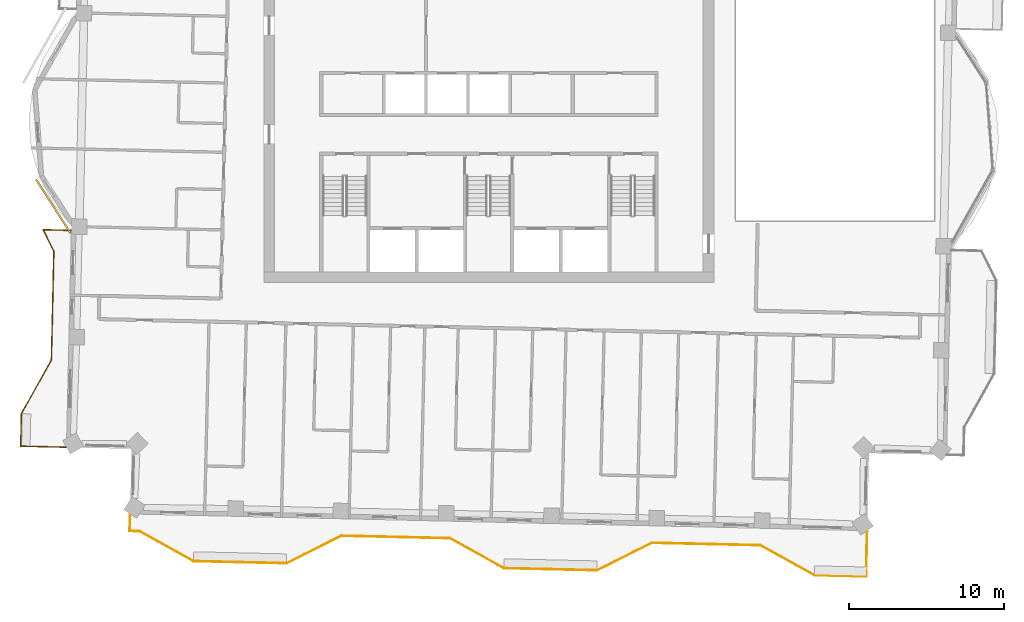
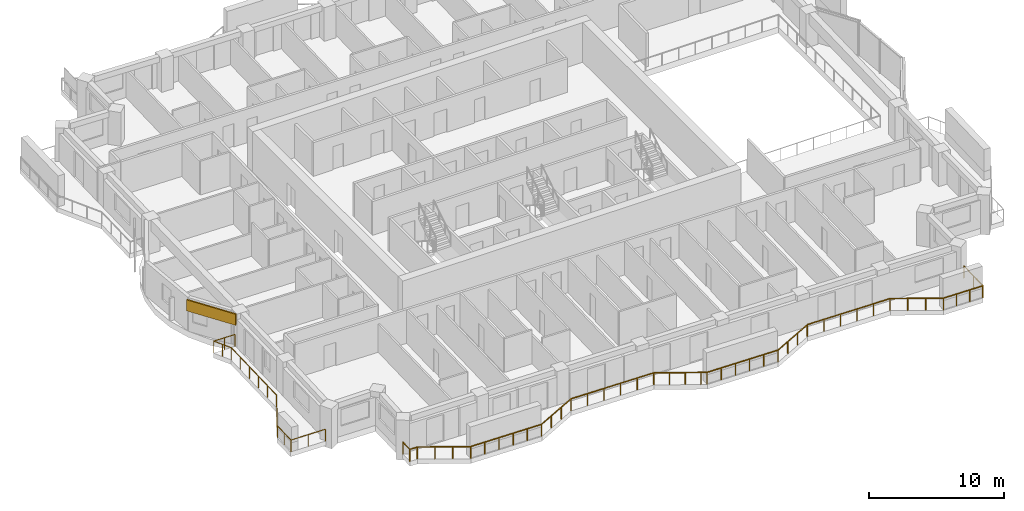
# One storey, part 14 of 17: 2 railings, 1 covering.
"""IFC4 building model written with IfcOpenShell, lengths in metres."""

from ifc_helpers import new_model, si_unit, direction, frame, frame_2d, origin, origin_2d, place, context, subcontext, project, spatial, rectangle, extrude, material, layer, layer_set, type_object, element, save


model = new_model("IFC4")

# Units and contexts
model_context = context("Model", 3, precision=1e-05, world=origin(), true_north=direction((0.0, 1.0)))
body_context = subcontext(model_context, "Body", "Model", "MODEL_VIEW")
ifc_project = project(units=[si_unit("LENGTHUNIT", "METRE"), si_unit("AREAUNIT", "SQUARE_METRE"), si_unit("VOLUMEUNIT", "CUBIC_METRE"), si_unit("PLANEANGLEUNIT", "RADIAN"), si_unit("MASSUNIT", "GRAM", prefix="KILO")], contexts=[model_context])

# Site, building, storey
site_placement = place(None, origin())
site = spatial("IfcSite", under=ifc_project, at=site_placement, CompositionType="ELEMENT")
building_placement = place(site_placement, origin())
building = spatial("IfcBuilding", under=site, at=building_placement, Name="Mangrove Gate Tower", CompositionType="ELEMENT")
storey_placement = place(building_placement, frame((0.0, 0.0, 271.699951171875)))
storey = spatial("IfcBuildingStorey", under=building, at=storey_placement, Name="L69", CompositionType="ELEMENT", Elevation=271.699951171875)

# Railings
ifc_material_1 = material(Name="Stainless steel grade 316 with laminated glass infill", Category="steel")
railing_type = type_object("IfcRailingType", Name="Balcony guard 1100", PredefinedType="GUARDRAIL", material=ifc_material_1)
railing_1_placement = place(storey_placement, frame((-26.929931640625, -8.1298828125, 0.0)))
element("IfcRailing", 1, at=railing_1_placement, inside=storey, type_object=railing_type, Name="GUARD L69 W2", PredefinedType="GUARDRAIL", context=body_context, shape_type="SweptSolid", body=[
    extrude(rectangle(XDim=0.048095703125, YDim=0.048095703125, at=origin_2d()), frame((0.0, 0.0, 1.076171875), z_axis=(-0.99973957308, 0.022820736564, 0.0), x_axis=(-0.022820736564, -0.99973957308, 0.0)), (0.0, 0.0, 1.0), 1.78662109375),
    extrude(rectangle(XDim=0.048095703125, YDim=0.048095703125, at=origin_2d()), frame((-1.7861328125, 0.040771484375, 1.076171875), z_axis=(0.447025166118, -0.894521380883, 0.0), x_axis=(0.894521380883, 0.447025166118, 0.0)), (0.0, 0.0, 1.0), 1.554931640625),
    extrude(rectangle(XDim=0.048095703125, YDim=0.048095703125, at=origin_2d()), frame((-1.091064453125, -1.35009765625, 1.076171875), z_axis=(-0.022705559911, -0.999742195543, 0.0), x_axis=(0.999742195543, -0.022705559911, 0.0)), (0.0, 0.0, 1.0), 6.999755859375),
    extrude(rectangle(XDim=0.048095703125, YDim=0.048095703125, at=origin_2d()), frame((-1.25, -8.34814453125, 1.076171875), z_axis=(-0.48726008209, -0.87325689943, 0.0), x_axis=(0.87325689943, -0.48726008209, 0.0)), (0.0, 0.0, 1.0), 3.958740234375),
    extrude(rectangle(XDim=0.048095703125, YDim=0.048095703125, at=origin_2d()), frame((-3.178955078125, -11.80517578125, 1.076171875), z_axis=(-0.022898307927, -0.999737799372, 0.0), x_axis=(0.999737799372, -0.022898307927, 0.0)), (0.0, 0.0, 1.0), 2.100341796875),
    extrude(rectangle(XDim=0.048095703125, YDim=0.048095703125, at=origin_2d()), frame((-3.22705078125, -13.905029296875, 1.076171875), z_axis=(0.999741618984, -0.02273093202, 0.0), x_axis=(0.02273093202, 0.999741618984, 0.0)), (0.0, 0.0, 1.0), 2.91064453125),
    extrude(rectangle(XDim=0.0419921875, YDim=0.0419921875, at=origin_2d()), origin(), (0.0, 0.0, 1.0), 1.052001953125),
    extrude(rectangle(XDim=0.0419921875, YDim=0.0419921875, at=origin_2d()), frame((-0.89306640625, 0.0205078125, 0.0)), (0.0, 0.0, 1.0), 1.052001953125),
    extrude(rectangle(XDim=0.0419921875, YDim=0.0419921875, at=origin_2d()), frame((-1.7861328125, 0.040771484375, 0.0)), (0.0, 0.0, 1.0), 1.052001953125),
    extrude(rectangle(XDim=0.0419921875, YDim=0.0419921875, at=origin_2d()), frame((-1.4384765625, -0.65478515625, 0.0)), (0.0, 0.0, 1.0), 1.052001953125),
    extrude(rectangle(XDim=0.0419921875, YDim=0.0419921875, at=origin_2d()), frame((-1.091064453125, -1.35009765625, 0.0)), (0.0, 0.0, 1.0), 1.052001953125),
    extrude(rectangle(XDim=0.0419921875, YDim=0.0419921875, at=origin_2d()), frame((-1.122802734375, -2.749755859375, 0.0)), (0.0, 0.0, 1.0), 1.052001953125),
    extrude(rectangle(XDim=0.0419921875, YDim=0.0419921875, at=origin_2d()), frame((-1.154541015625, -4.1494140625, 0.0)), (0.0, 0.0, 1.0), 1.052001953125),
    extrude(rectangle(XDim=0.0419921875, YDim=0.0419921875, at=origin_2d()), frame((-1.1865234375, -5.548828125, 0.0)), (0.0, 0.0, 1.0), 1.052001953125),
    extrude(rectangle(XDim=0.0419921875, YDim=0.0419921875, at=origin_2d()), frame((-1.21826171875, -6.948486328125, 0.0)), (0.0, 0.0, 1.0), 1.052001953125),
    extrude(rectangle(XDim=0.0419921875, YDim=0.0419921875, at=origin_2d()), frame((-1.25, -8.34814453125, 0.0)), (0.0, 0.0, 1.0), 1.052001953125),
    extrude(rectangle(XDim=0.0419921875, YDim=0.0419921875, at=origin_2d()), frame((-1.89306640625, -9.50048828125, 0.0)), (0.0, 0.0, 1.0), 1.052001953125),
    extrude(rectangle(XDim=0.0419921875, YDim=0.0419921875, at=origin_2d()), frame((-2.535888671875, -10.65283203125, 0.0)), (0.0, 0.0, 1.0), 1.052001953125),
    extrude(rectangle(XDim=0.0419921875, YDim=0.0419921875, at=origin_2d()), frame((-3.178955078125, -11.80517578125, 0.0)), (0.0, 0.0, 1.0), 1.052001953125),
    extrude(rectangle(XDim=0.0419921875, YDim=0.0419921875, at=origin_2d()), frame((-3.203125, -12.85498046875, 0.0)), (0.0, 0.0, 1.0), 1.052001953125),
    extrude(rectangle(XDim=0.0419921875, YDim=0.0419921875, at=origin_2d()), frame((-3.22705078125, -13.905029296875, 0.0)), (0.0, 0.0, 1.0), 1.052001953125),
    extrude(rectangle(XDim=0.0419921875, YDim=0.0419921875, at=origin_2d()), frame((-1.77197265625, -13.93798828125, 0.0)), (0.0, 0.0, 1.0), 1.052001953125),
    extrude(rectangle(XDim=0.0419921875, YDim=0.0419921875, at=origin_2d()), frame((-0.317138671875, -13.97119140625, 0.0)), (0.0, 0.0, 1.0), 1.052001953125),
])
railing_2_placement = place(storey_placement, frame((-23.10498046875, -26.43603515625, 0.0)))
element("IfcRailing", 2, at=railing_2_placement, inside=storey, type_object=railing_type, Name="GUARD L69 S1", PredefinedType="GUARDRAIL", context=body_context, shape_type="SweptSolid", body=[
    extrude(rectangle(XDim=0.048095703125, YDim=0.048095703125, at=origin_2d()), frame((0.0, 0.0, 1.076171875), z_axis=(-0.022564497502, -0.999745389313, 0.0), x_axis=(0.999745389313, -0.022564497502, 0.0)), (0.0, 0.0, 1.0), 1.060302734375),
    extrude(rectangle(XDim=0.048095703125, YDim=0.048095703125, at=origin_2d()), frame((-0.02392578125, -1.06005859375, 1.076171875), z_axis=(0.999760696888, -0.02187576189, 0.0), x_axis=(0.02187576189, 0.999760696888, 0.0)), (0.0, 0.0, 1.0), 0.63623046875),
    extrude(rectangle(XDim=0.048095703125, YDim=0.048095703125, at=origin_2d()), frame((0.612060546875, -1.073974609375, 1.076171875), z_axis=(0.87325689943, -0.48726008209, 0.0), x_axis=(0.48726008209, 0.87325689943, 0.0)), (0.0, 0.0, 1.0), 3.958740234375),
    extrude(rectangle(XDim=0.048095703125, YDim=0.048095703125, at=origin_2d()), frame((4.069091796875, -3.0029296875, 1.076171875), z_axis=(0.999743157205, -0.022663177671, 0.0), x_axis=(0.022663177671, 0.999743157205, 0.0)), (0.0, 0.0, 1.0), 6.000244140625),
    extrude(rectangle(XDim=0.048095703125, YDim=0.048095703125, at=origin_2d()), frame((10.06787109375, -3.138916015625, 1.076171875), z_axis=(0.894476522376, 0.447114919141, 0.0), x_axis=(-0.447114919141, 0.894476522376, 0.0)), (0.0, 0.0, 1.0), 3.958740234375),
    extrude(rectangle(XDim=0.048095703125, YDim=0.048095703125, at=origin_2d()), frame((13.60888671875, -1.368896484375, 1.076171875), z_axis=(0.999741403216, -0.022740419861, 0.0), x_axis=(0.022740419861, 0.999741403216, 0.0)), (0.0, 0.0, 1.0), 6.999755859375),
    extrude(rectangle(XDim=0.048095703125, YDim=0.048095703125, at=origin_2d()), frame((20.60693359375, -1.528076171875, 1.076171875), z_axis=(0.87332171879, -0.487143896082, 0.0), x_axis=(0.487143896082, 0.87332171879, 0.0)), (0.0, 0.0, 1.0), 3.506103515625),
    extrude(rectangle(XDim=0.048095703125, YDim=0.048095703125, at=origin_2d()), frame((23.6689453125, -3.236083984375, 1.076171875), z_axis=(0.872754252062, -0.488159825782, 0.0), x_axis=(0.488159825782, 0.872754252062, 0.0)), (0.0, 0.0, 1.0), 0.45263671875),
    extrude(rectangle(XDim=0.048095703125, YDim=0.048095703125, at=origin_2d()), frame((24.06396484375, -3.45703125, 1.076171875), z_axis=(0.999743178102, -0.022662255828, 0.0), x_axis=(0.022662255828, 0.999743178102, 0.0)), (0.0, 0.0, 1.0), 6.00048828125),
    extrude(rectangle(XDim=0.048095703125, YDim=0.048095703125, at=origin_2d()), frame((30.06298828125, -3.593017578125, 1.076171875), z_axis=(0.894476522376, 0.447114919141, 0.0), x_axis=(-0.447114919141, 0.894476522376, 0.0)), (0.0, 0.0, 1.0), 3.958740234375),
    extrude(rectangle(XDim=0.048095703125, YDim=0.048095703125, at=origin_2d()), frame((33.60400390625, -1.822998046875, 1.076171875), z_axis=(0.999742195543, -0.022705559911, 0.0), x_axis=(0.022705559911, 0.999742195543, 0.0)), (0.0, 0.0, 1.0), 6.999755859375),
    extrude(rectangle(XDim=0.048095703125, YDim=0.048095703125, at=origin_2d()), frame((40.60205078125, -1.98193359375, 1.076171875), z_axis=(0.873361856081, -0.487071933437, 0.0), x_axis=(0.487071933437, 0.873361856081, 0.0)), (0.0, 0.0, 1.0), 3.958251953125),
    extrude(rectangle(XDim=0.048095703125, YDim=0.048095703125, at=origin_2d()), frame((44.05908203125, -3.909912109375, 1.076171875), z_axis=(0.99973925985, -0.022834454544, 0.0), x_axis=(0.022834454544, 0.99973925985, 0.0)), (0.0, 0.0, 1.0), 3.3359375),
    extrude(rectangle(XDim=0.048095703125, YDim=0.048095703125, at=origin_2d()), frame((47.39404296875, -3.986083984375, 1.076171875), z_axis=(0.022652795902, 0.999743392495, 0.0), x_axis=(-0.999743392495, 0.022652795902, 0.0)), (0.0, 0.0, 1.0), 2.909912109375),
    extrude(rectangle(XDim=0.0419921875, YDim=0.0419921875, at=origin_2d()), origin(), (0.0, 0.0, 1.0), 1.052001953125),
    extrude(rectangle(XDim=0.0419921875, YDim=0.0419921875, at=origin_2d()), frame((-0.02392578125, -1.06005859375, 0.0)), (0.0, 0.0, 1.0), 1.052001953125),
    extrude(rectangle(XDim=0.0419921875, YDim=0.0419921875, at=origin_2d()), frame((0.612060546875, -1.073974609375, 0.0)), (0.0, 0.0, 1.0), 1.052001953125),
    extrude(rectangle(XDim=0.0419921875, YDim=0.0419921875, at=origin_2d()), frame((1.764404296875, -1.717041015625, 0.0)), (0.0, 0.0, 1.0), 1.052001953125),
    extrude(rectangle(XDim=0.0419921875, YDim=0.0419921875, at=origin_2d()), frame((2.916748046875, -2.35986328125, 0.0)), (0.0, 0.0, 1.0), 1.052001953125),
    extrude(rectangle(XDim=0.0419921875, YDim=0.0419921875, at=origin_2d()), frame((4.069091796875, -3.0029296875, 0.0)), (0.0, 0.0, 1.0), 1.052001953125),
    extrude(rectangle(XDim=0.0419921875, YDim=0.0419921875, at=origin_2d()), frame((5.268798828125, -3.030029296875, 0.0)), (0.0, 0.0, 1.0), 1.052001953125),
    extrude(rectangle(XDim=0.0419921875, YDim=0.0419921875, at=origin_2d()), frame((6.468505859375, -3.057373046875, 0.0)), (0.0, 0.0, 1.0), 1.052001953125),
    extrude(rectangle(XDim=0.0419921875, YDim=0.0419921875, at=origin_2d()), frame((7.66845703125, -3.08447265625, 0.0)), (0.0, 0.0, 1.0), 1.052001953125),
    extrude(rectangle(XDim=0.0419921875, YDim=0.0419921875, at=origin_2d()), frame((8.8681640625, -3.11181640625, 0.0)), (0.0, 0.0, 1.0), 1.052001953125),
    extrude(rectangle(XDim=0.0419921875, YDim=0.0419921875, at=origin_2d()), frame((10.06787109375, -3.138916015625, 0.0)), (0.0, 0.0, 1.0), 1.052001953125),
    extrude(rectangle(XDim=0.0419921875, YDim=0.0419921875, at=origin_2d()), frame((11.248291015625, -2.548828125, 0.0)), (0.0, 0.0, 1.0), 1.052001953125),
    extrude(rectangle(XDim=0.0419921875, YDim=0.0419921875, at=origin_2d()), frame((12.428466796875, -1.958984375, 0.0)), (0.0, 0.0, 1.0), 1.052001953125),
    extrude(rectangle(XDim=0.0419921875, YDim=0.0419921875, at=origin_2d()), frame((13.60888671875, -1.368896484375, 0.0)), (0.0, 0.0, 1.0), 1.052001953125),
    extrude(rectangle(XDim=0.0419921875, YDim=0.0419921875, at=origin_2d()), frame((15.008544921875, -1.400634765625, 0.0)), (0.0, 0.0, 1.0), 1.052001953125),
    extrude(rectangle(XDim=0.0419921875, YDim=0.0419921875, at=origin_2d()), frame((16.408203125, -1.4326171875, 0.0)), (0.0, 0.0, 1.0), 1.052001953125),
    extrude(rectangle(XDim=0.0419921875, YDim=0.0419921875, at=origin_2d()), frame((17.8076171875, -1.46435546875, 0.0)), (0.0, 0.0, 1.0), 1.052001953125),
    extrude(rectangle(XDim=0.0419921875, YDim=0.0419921875, at=origin_2d()), frame((19.207275390625, -1.496337890625, 0.0)), (0.0, 0.0, 1.0), 1.052001953125),
    extrude(rectangle(XDim=0.0419921875, YDim=0.0419921875, at=origin_2d()), frame((20.60693359375, -1.528076171875, 0.0)), (0.0, 0.0, 1.0), 1.052001953125),
    extrude(rectangle(XDim=0.0419921875, YDim=0.0419921875, at=origin_2d()), frame((21.627685546875, -2.097412109375, 0.0)), (0.0, 0.0, 1.0), 1.052001953125),
    extrude(rectangle(XDim=0.0419921875, YDim=0.0419921875, at=origin_2d()), frame((22.648193359375, -2.666748046875, 0.0)), (0.0, 0.0, 1.0), 1.052001953125),
    extrude(rectangle(XDim=0.0419921875, YDim=0.0419921875, at=origin_2d()), frame((23.6689453125, -3.236083984375, 0.0)), (0.0, 0.0, 1.0), 1.052001953125),
    extrude(rectangle(XDim=0.0419921875, YDim=0.0419921875, at=origin_2d()), frame((24.06396484375, -3.45703125, 0.0)), (0.0, 0.0, 1.0), 1.052001953125),
    extrude(rectangle(XDim=0.0419921875, YDim=0.0419921875, at=origin_2d()), frame((25.263671875, -3.484130859375, 0.0)), (0.0, 0.0, 1.0), 1.052001953125),
    extrude(rectangle(XDim=0.0419921875, YDim=0.0419921875, at=origin_2d()), frame((26.463623046875, -3.511474609375, 0.0)), (0.0, 0.0, 1.0), 1.052001953125),
    extrude(rectangle(XDim=0.0419921875, YDim=0.0419921875, at=origin_2d()), frame((27.663330078125, -3.53857421875, 0.0)), (0.0, 0.0, 1.0), 1.052001953125),
    extrude(rectangle(XDim=0.0419921875, YDim=0.0419921875, at=origin_2d()), frame((28.86328125, -3.56591796875, 0.0)), (0.0, 0.0, 1.0), 1.052001953125),
    extrude(rectangle(XDim=0.0419921875, YDim=0.0419921875, at=origin_2d()), frame((30.06298828125, -3.593017578125, 0.0)), (0.0, 0.0, 1.0), 1.052001953125),
    extrude(rectangle(XDim=0.0419921875, YDim=0.0419921875, at=origin_2d()), frame((31.243408203125, -3.0029296875, 0.0)), (0.0, 0.0, 1.0), 1.052001953125),
    extrude(rectangle(XDim=0.0419921875, YDim=0.0419921875, at=origin_2d()), frame((32.423583984375, -2.4130859375, 0.0)), (0.0, 0.0, 1.0), 1.052001953125),
    extrude(rectangle(XDim=0.0419921875, YDim=0.0419921875, at=origin_2d()), frame((33.60400390625, -1.822998046875, 0.0)), (0.0, 0.0, 1.0), 1.052001953125),
    extrude(rectangle(XDim=0.0419921875, YDim=0.0419921875, at=origin_2d()), frame((35.003662109375, -1.854736328125, 0.0)), (0.0, 0.0, 1.0), 1.052001953125),
    extrude(rectangle(XDim=0.0419921875, YDim=0.0419921875, at=origin_2d()), frame((36.4033203125, -1.886474609375, 0.0)), (0.0, 0.0, 1.0), 1.052001953125),
    extrude(rectangle(XDim=0.0419921875, YDim=0.0419921875, at=origin_2d()), frame((37.802734375, -1.91845703125, 0.0)), (0.0, 0.0, 1.0), 1.052001953125),
    extrude(rectangle(XDim=0.0419921875, YDim=0.0419921875, at=origin_2d()), frame((39.202392578125, -1.9501953125, 0.0)), (0.0, 0.0, 1.0), 1.052001953125),
    extrude(rectangle(XDim=0.0419921875, YDim=0.0419921875, at=origin_2d()), frame((40.60205078125, -1.98193359375, 0.0)), (0.0, 0.0, 1.0), 1.052001953125),
    extrude(rectangle(XDim=0.0419921875, YDim=0.0419921875, at=origin_2d()), frame((41.75439453125, -2.62451171875, 0.0)), (0.0, 0.0, 1.0), 1.052001953125),
    extrude(rectangle(XDim=0.0419921875, YDim=0.0419921875, at=origin_2d()), frame((42.90673828125, -3.267333984375, 0.0)), (0.0, 0.0, 1.0), 1.052001953125),
    extrude(rectangle(XDim=0.0419921875, YDim=0.0419921875, at=origin_2d()), frame((44.05908203125, -3.909912109375, 0.0)), (0.0, 0.0, 1.0), 1.052001953125),
    extrude(rectangle(XDim=0.0419921875, YDim=0.0419921875, at=origin_2d()), frame((45.170654296875, -3.935302734375, 0.0)), (0.0, 0.0, 1.0), 1.052001953125),
    extrude(rectangle(XDim=0.0419921875, YDim=0.0419921875, at=origin_2d()), frame((46.282470703125, -3.960693359375, 0.0)), (0.0, 0.0, 1.0), 1.052001953125),
    extrude(rectangle(XDim=0.0419921875, YDim=0.0419921875, at=origin_2d()), frame((47.39404296875, -3.986083984375, 0.0)), (0.0, 0.0, 1.0), 1.052001953125),
    extrude(rectangle(XDim=0.0419921875, YDim=0.0419921875, at=origin_2d()), frame((47.427001953125, -2.531494140625, 0.0)), (0.0, 0.0, 1.0), 1.052001953125),
    extrude(rectangle(XDim=0.0419921875, YDim=0.0419921875, at=origin_2d()), frame((47.4599609375, -1.076904296875, 0.0)), (0.0, 0.0, 1.0), 1.052001953125),
])

# Covering
ifc_material_2 = material(Name="Limestone", Category="masonry")
ifc_layer_1 = layer(ifc_material_2, 0.0400390625, Name="Limestone cladding")
ifc_material_3 = material(Name="Stainless steel anchors and cavity", Category="steel")
ifc_layer_2 = layer(ifc_material_3, 0.080078125, Name="Fixing cavity")
ifc_layer_set = layer_set([ifc_layer_1, ifc_layer_2], Name="Joint fascia cladding 120")
covering_type = type_object("IfcCoveringType", Name="Joint fascia cladding 120", PredefinedType="CLADDING", material=ifc_layer_set)
covering_placement = place(storey_placement, frame((-29.160888671875, -4.85400390625, 2.050048828125), z_axis=(0.0, 0.0, 1.0), x_axis=(0.540382046237, -0.84141977877, 0.0)))
element("IfcCovering", 3, at=covering_placement, inside=storey, type_object=covering_type, Name="STONE FASCIA L69 W9.L2", PredefinedType="CLADDING", context=body_context, shape_type="SweptSolid", body=[
    extrude(rectangle(XDim=4.107666015625, YDim=0.1201171875, at=frame_2d((2.0537109375, 0.0))), origin(), (0.0, 0.0, 1.0), 1.0),
])

save(model, "model.ifc")
